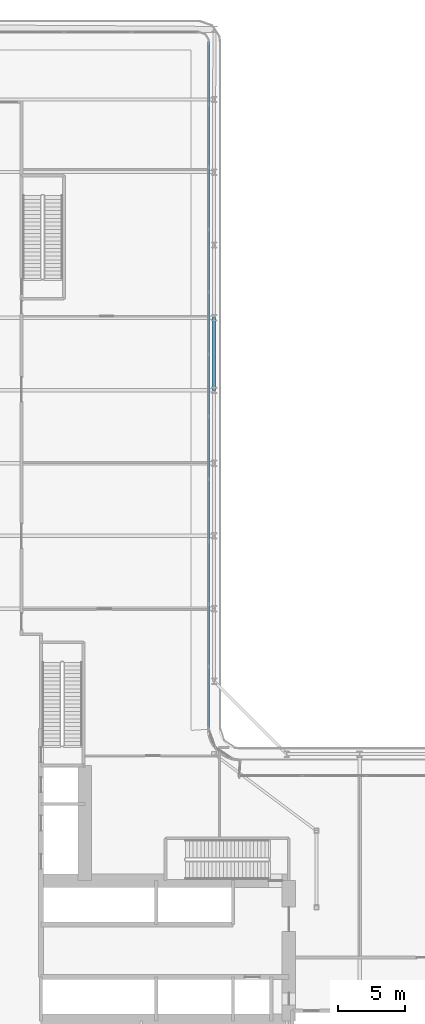
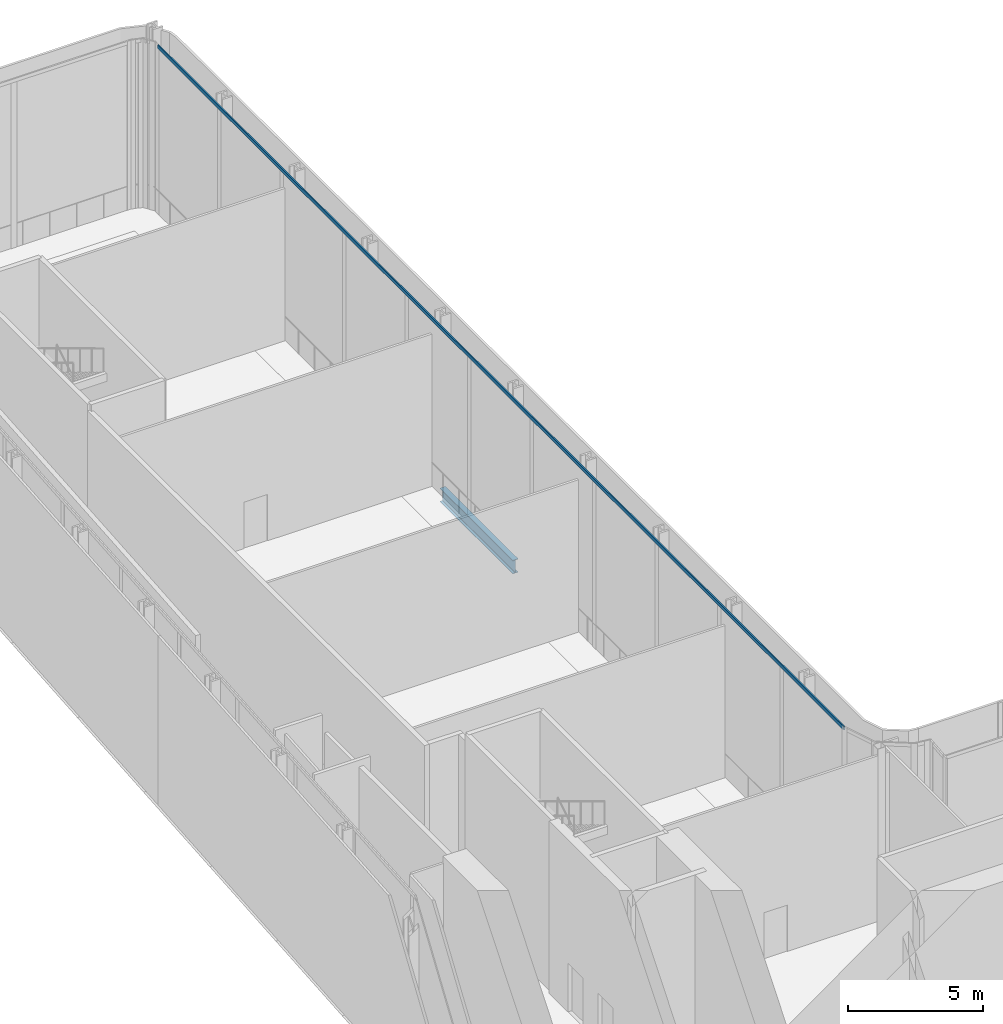
# One storey, part 13 of 36: 1 beam, 1 member, 1 element without a shape of its own.
"""IFC4 building model written with IfcOpenShell, lengths in metres."""

from ifc_helpers import new_model, si_unit, direction, frame, origin, origin_2d, place, context, subcontext, project, spatial, rectangle, i_section, extrude, material, layer, layer_set, material_profile, profile_set, type_object, element, aggregate, save


model = new_model("IFC4")

# Units and contexts
model_context = context("Model", 3, precision=1e-05, world=origin(), true_north=direction((0.0, 1.0)))
body_context = subcontext(model_context, "Body", "Model", "MODEL_VIEW")
ifc_project = project(units=[si_unit("LENGTHUNIT", "METRE"), si_unit("AREAUNIT", "SQUARE_METRE"), si_unit("VOLUMEUNIT", "CUBIC_METRE"), si_unit("PLANEANGLEUNIT", "RADIAN"), si_unit("MASSUNIT", "GRAM", prefix="KILO")], contexts=[model_context])

# Site, building, storey
site_placement = place(None, origin())
site = spatial("IfcSite", under=ifc_project, at=site_placement, CompositionType="ELEMENT")
building_placement = place(site_placement, origin())
building = spatial("IfcBuilding", under=site, at=building_placement, Name="Kheshtan School and Residences Tower", CompositionType="ELEMENT")
storey_placement = place(building_placement, frame((0.0, 0.0, 81.199951171875)))
storey = spatial("IfcBuildingStorey", under=building, at=storey_placement, Name="L19", CompositionType="ELEMENT", Elevation=81.199951171875)

# Beam
ifc_material_1 = material(Name="Steel ASTM A992 Grade 50", Category="steel")
ifc_material_profile_1 = material_profile(ifc_material_1, i_section(OverallWidth=0.22998046875, OverallDepth=0.616943359375, WebThickness=0.01318359375, FlangeThickness=0.022216796875, FilletRadius=0.0185546875, at=origin_2d()), Name="W610x140")
ifc_profile_set_1 = profile_set([ifc_material_profile_1], Name="Steel ASTM A992 Grade 50")
beam_type = type_object("IfcBeamType", Name="Beam SP1 W610x140 ASTM A992 Grade 50", PredefinedType="BEAM", material=ifc_profile_set_1)
beam_placement = place(storey_placement, frame((47.60009765625, 78.0, -0.45849609375), z_axis=(0.0, -1.0, 0.0), x_axis=(1.0, 0.0, 0.0)))
element("IfcBeam", 1, at=beam_placement, inside=storey, type_object=beam_type, Name="Spandrel beam C089-C087", PredefinedType="BEAM", context=body_context, shape_type="SweptSolid", body=[
    extrude(i_section(OverallWidth=0.22998046875, OverallDepth=0.616943359375, WebThickness=0.01318359375, FlangeThickness=0.022216796875, FilletRadius=0.0185546875, at=origin_2d()), origin(), (0.0, 0.0, 1.0), 5.39990234375),
])

# Curtain wall, member
ifc_material_2 = material(Name="Clear low-e glass in thermally broken aluminium frame", Category="aluminium")
ifc_layer = layer(ifc_material_2, 0.25)
ifc_layer_set = layer_set([ifc_layer], Name="Curtain wall CW-K")
curtain_wall_type = type_object("IfcCurtainWallType", Name="Curtain wall CW-K", PredefinedType="NOTDEFINED", material=ifc_layer_set)
curtain_wall_placement = place(storey_placement, origin())
curtain_wall = element("IfcCurtainWall", 2, at=curtain_wall_placement, inside=storey, type_object=curtain_wall_type, Name="Curtain wall CWK24", PredefinedType="NOTDEFINED")
ifc_material_3 = material(Name="Thermally broken aluminium, dark bronze anodised", Category="aluminium")
ifc_material_profile_2 = material_profile(ifc_material_3, rectangle(XDim=0.06005859375, YDim=0.159912109375, at=origin_2d()), Name="CW-K transom 60x160")
ifc_profile_set_2 = profile_set([ifc_material_profile_2], Name="Thermally broken aluminium, dark bronze anodised")
member_type = type_object("IfcMemberType", Name="CW-K transom 60x160", PredefinedType="USERDEFINED", material=ifc_profile_set_2)
member_placement = place(storey_placement, frame((47.199951171875, 98.409912109375, 7.570068359375), z_axis=(0.0, -1.0, 0.0), x_axis=(1.0, 0.0, 0.0)))
member = element("IfcMember", 3, at=member_placement, type_object=member_type, Name="CWK24 transom 1", ObjectType="TRANSOM", PredefinedType="USERDEFINED", context=body_context, shape_type="SweptSolid", body=[
    extrude(rectangle(XDim=0.06005859375, YDim=0.159912109375, at=origin_2d()), origin(), (0.0, 0.0, 1.0), 50.906494140625),
])
aggregate(curtain_wall, [member])

save(model, "model.ifc")
